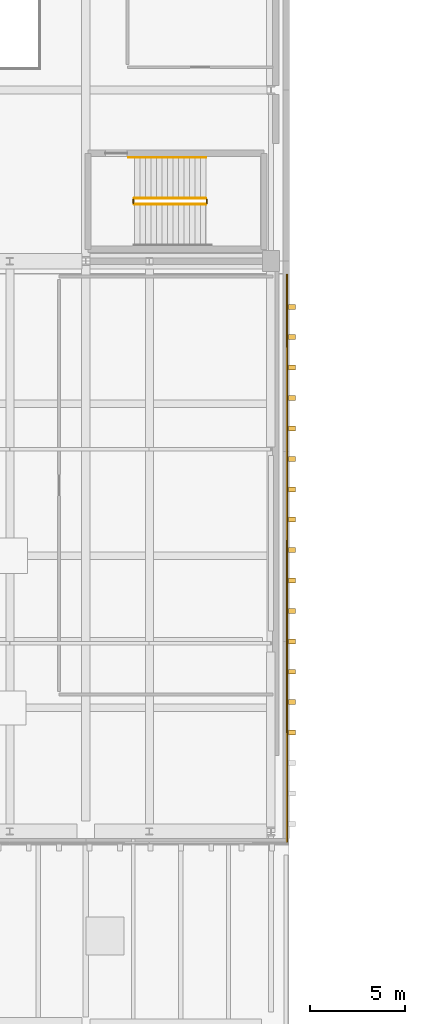
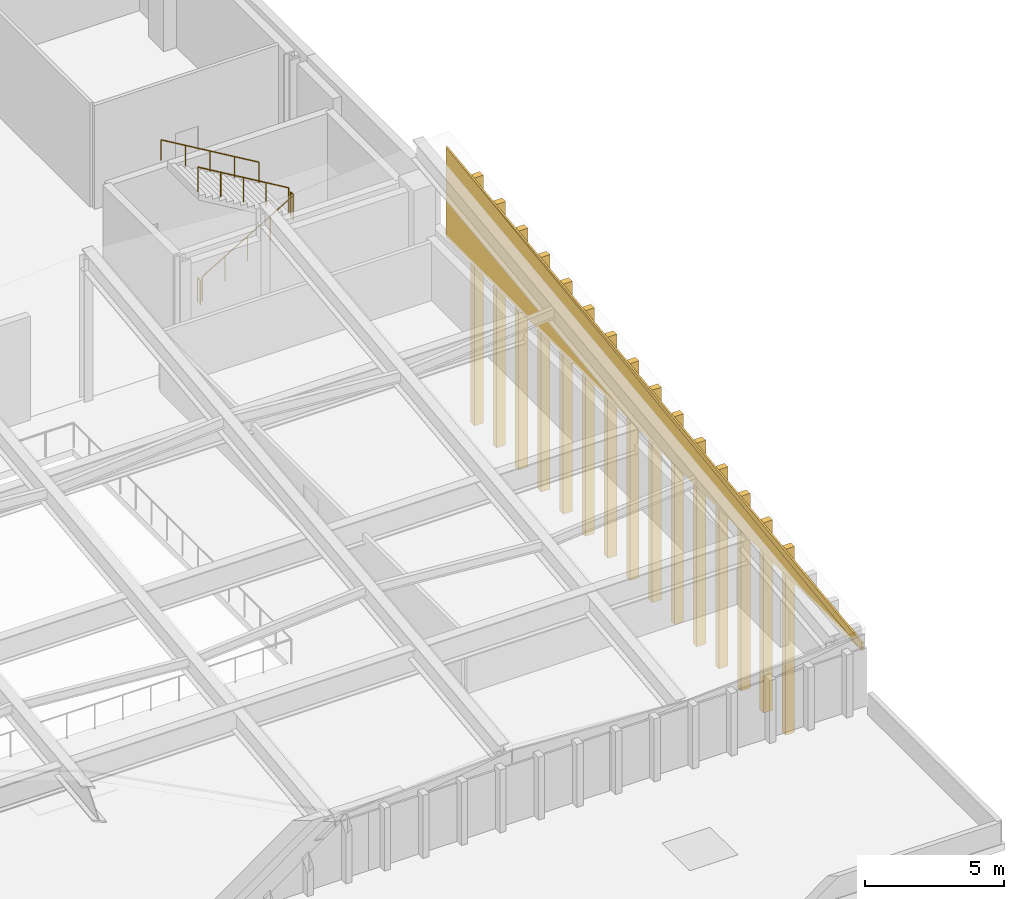
# One storey, part 27 of 30: 17 coverings, 5 railings.
"""IFC4 building model written with IfcOpenShell, lengths in metres."""

from ifc_helpers import new_model, si_unit, direction, frame, origin, origin_2d, place, context, subcontext, project, spatial, polyline, rectangle, circle, outline, extrude, material, layer, layer_set, type_object, element, save


model = new_model("IFC4")

# Units and contexts
model_context = context("Model", 3, precision=1e-05, world=origin(), true_north=direction((0.0, 1.0)))
body_context = subcontext(model_context, "Body", "Model", "MODEL_VIEW")
ifc_project = project(units=[si_unit("LENGTHUNIT", "METRE"), si_unit("AREAUNIT", "SQUARE_METRE"), si_unit("VOLUMEUNIT", "CUBIC_METRE"), si_unit("PLANEANGLEUNIT", "RADIAN"), si_unit("MASSUNIT", "GRAM", prefix="KILO")], contexts=[model_context])

# Site, building, storey
site_placement = place(None, origin())
site = spatial("IfcSite", under=ifc_project, at=site_placement, CompositionType="ELEMENT")
building_placement = place(site_placement, origin())
building = spatial("IfcBuilding", under=site, at=building_placement, Name="Trimount Lyric Opera House", CompositionType="ELEMENT")
storey_placement = place(building_placement, frame((0.0, 0.0, 24.800048828125)))
storey = spatial("IfcBuildingStorey", under=building, at=storey_placement, Name="L05", CompositionType="ELEMENT", Elevation=24.800048828125)

# Coverings
ifc_material_1 = material(Name="Extruded Brushed Aluminium Vertical Shed Rib", Category="aluminium")
ifc_layer_1 = layer(ifc_material_1, 0.260009765625)
ifc_layer_set_1 = layer_set([ifc_layer_1], Name="CLD-RIB1")
covering_type_1 = type_object("IfcCoveringType", Name="CLD-RIB1", PredefinedType="CLADDING", material=ifc_layer_set_1)
covering_1_placement = place(storey_placement, frame((114.85009765625, 59.199951171875, -4.7998046875), z_axis=(0.0, 0.0, 1.0), x_axis=(1.0, 0.0, 0.0)))
element("IfcCovering", 1, at=covering_1_placement, inside=storey, type_object=covering_type_1, Name="Auditorium E vertical cladding rib 064", PredefinedType="CLADDING", context=body_context, shape_type="SweptSolid", body=[
    extrude(rectangle(XDim=0.3798828125, YDim=0.260009765625, at=origin_2d()), origin(), (0.0, 0.0, 1.0), 8.165283203125),
])
covering_2_placement = place(storey_placement, frame((114.85009765625, 60.800048828125, -4.80029296875), z_axis=(0.0, 0.0, 1.0), x_axis=(1.0, 0.0, 0.0)))
element("IfcCovering", 2, at=covering_2_placement, inside=storey, type_object=covering_type_1, Name="Auditorium E vertical cladding rib 065", PredefinedType="CLADDING", context=body_context, shape_type="SweptSolid", body=[
    extrude(rectangle(XDim=0.3798828125, YDim=0.260009765625, at=origin_2d()), origin(), (0.0, 0.0, 1.0), 8.360107421875),
])
covering_3_placement = place(storey_placement, frame((114.85009765625, 62.39990234375, -4.800048828125), z_axis=(0.0, 0.0, 1.0), x_axis=(1.0, 0.0, 0.0)))
element("IfcCovering", 3, at=covering_3_placement, inside=storey, type_object=covering_type_1, Name="Auditorium E vertical cladding rib 066", PredefinedType="CLADDING", context=body_context, shape_type="SweptSolid", body=[
    extrude(rectangle(XDim=0.3798828125, YDim=0.260009765625, at=origin_2d()), origin(), (0.0, 0.0, 1.0), 8.5546875),
])
covering_4_placement = place(storey_placement, frame((114.85009765625, 64.0, -4.800048828125), z_axis=(0.0, 0.0, 1.0), x_axis=(1.0, 0.0, 0.0)))
element("IfcCovering", 4, at=covering_4_placement, inside=storey, type_object=covering_type_1, Name="Auditorium E vertical cladding rib 067", PredefinedType="CLADDING", context=body_context, shape_type="SweptSolid", body=[
    extrude(rectangle(XDim=0.3798828125, YDim=0.260009765625, at=origin_2d()), origin(), (0.0, 0.0, 1.0), 8.74951171875),
])
covering_5_placement = place(storey_placement, frame((114.85009765625, 65.60009765625, -4.7998046875), z_axis=(0.0, 0.0, 1.0), x_axis=(1.0, 0.0, 0.0)))
element("IfcCovering", 5, at=covering_5_placement, inside=storey, type_object=covering_type_1, Name="Auditorium E vertical cladding rib 068", PredefinedType="CLADDING", context=body_context, shape_type="SweptSolid", body=[
    extrude(rectangle(XDim=0.3798828125, YDim=0.260009765625, at=origin_2d()), origin(), (0.0, 0.0, 1.0), 8.944091796875),
])
covering_6_placement = place(storey_placement, frame((114.85009765625, 67.199951171875, -4.800048828125), z_axis=(0.0, 0.0, 1.0), x_axis=(1.0, 0.0, 0.0)))
element("IfcCovering", 6, at=covering_6_placement, inside=storey, type_object=covering_type_1, Name="Auditorium E vertical cladding rib 069", PredefinedType="CLADDING", context=body_context, shape_type="SweptSolid", body=[
    extrude(rectangle(XDim=0.3798828125, YDim=0.260009765625, at=origin_2d()), origin(), (0.0, 0.0, 1.0), 9.138671875),
])
covering_7_placement = place(storey_placement, frame((114.85009765625, 68.800048828125, -4.800048828125), z_axis=(0.0, 0.0, 1.0), x_axis=(1.0, 0.0, 0.0)))
element("IfcCovering", 7, at=covering_7_placement, inside=storey, type_object=covering_type_1, Name="Auditorium E vertical cladding rib 070", PredefinedType="CLADDING", context=body_context, shape_type="SweptSolid", body=[
    extrude(rectangle(XDim=0.3798828125, YDim=0.260009765625, at=origin_2d()), origin(), (0.0, 0.0, 1.0), 9.33349609375),
])
covering_8_placement = place(storey_placement, frame((114.85009765625, 70.39990234375, -4.7998046875), z_axis=(0.0, 0.0, 1.0), x_axis=(1.0, 0.0, 0.0)))
element("IfcCovering", 8, at=covering_8_placement, inside=storey, type_object=covering_type_1, Name="Auditorium E vertical cladding rib 071", PredefinedType="CLADDING", context=body_context, shape_type="SweptSolid", body=[
    extrude(rectangle(XDim=0.3798828125, YDim=0.260009765625, at=origin_2d()), origin(), (0.0, 0.0, 1.0), 9.528076171875),
])
covering_9_placement = place(storey_placement, frame((114.85009765625, 72.0, -4.800048828125), z_axis=(0.0, 0.0, 1.0), x_axis=(1.0, 0.0, 0.0)))
element("IfcCovering", 9, at=covering_9_placement, inside=storey, type_object=covering_type_1, Name="Auditorium E vertical cladding rib 072", PredefinedType="CLADDING", context=body_context, shape_type="SweptSolid", body=[
    extrude(rectangle(XDim=0.3798828125, YDim=0.260009765625, at=origin_2d()), origin(), (0.0, 0.0, 1.0), 9.72265625),
])
covering_10_placement = place(storey_placement, frame((114.85009765625, 73.60009765625, -4.800048828125), z_axis=(0.0, 0.0, 1.0), x_axis=(1.0, 0.0, 0.0)))
element("IfcCovering", 10, at=covering_10_placement, inside=storey, type_object=covering_type_1, Name="Auditorium E vertical cladding rib 073", PredefinedType="CLADDING", context=body_context, shape_type="SweptSolid", body=[
    extrude(rectangle(XDim=0.3798828125, YDim=0.260009765625, at=origin_2d()), origin(), (0.0, 0.0, 1.0), 9.91748046875),
])
covering_11_placement = place(storey_placement, frame((114.85009765625, 75.199951171875, -4.7998046875), z_axis=(0.0, 0.0, 1.0), x_axis=(1.0, 0.0, 0.0)))
element("IfcCovering", 11, at=covering_11_placement, inside=storey, type_object=covering_type_1, Name="Auditorium E vertical cladding rib 074", PredefinedType="CLADDING", context=body_context, shape_type="SweptSolid", body=[
    extrude(rectangle(XDim=0.3798828125, YDim=0.260009765625, at=origin_2d()), origin(), (0.0, 0.0, 1.0), 10.112060546875),
])
covering_12_placement = place(storey_placement, frame((114.85009765625, 76.800048828125, -4.800048828125), z_axis=(0.0, 0.0, 1.0), x_axis=(1.0, 0.0, 0.0)))
element("IfcCovering", 12, at=covering_12_placement, inside=storey, type_object=covering_type_1, Name="Auditorium E vertical cladding rib 075", PredefinedType="CLADDING", context=body_context, shape_type="SweptSolid", body=[
    extrude(rectangle(XDim=0.3798828125, YDim=0.260009765625, at=origin_2d()), origin(), (0.0, 0.0, 1.0), 10.306640625),
])
covering_13_placement = place(storey_placement, frame((114.85009765625, 78.39990234375, -4.800048828125), z_axis=(0.0, 0.0, 1.0), x_axis=(1.0, 0.0, 0.0)))
element("IfcCovering", 13, at=covering_13_placement, inside=storey, type_object=covering_type_1, Name="Auditorium E vertical cladding rib 076", PredefinedType="CLADDING", context=body_context, shape_type="SweptSolid", body=[
    extrude(rectangle(XDim=0.3798828125, YDim=0.260009765625, at=origin_2d()), origin(), (0.0, 0.0, 1.0), 10.50146484375),
])
covering_14_placement = place(storey_placement, frame((114.85009765625, 80.0, -4.7998046875), z_axis=(0.0, 0.0, 1.0), x_axis=(1.0, 0.0, 0.0)))
element("IfcCovering", 14, at=covering_14_placement, inside=storey, type_object=covering_type_1, Name="Auditorium E vertical cladding rib 077", PredefinedType="CLADDING", context=body_context, shape_type="SweptSolid", body=[
    extrude(rectangle(XDim=0.3798828125, YDim=0.260009765625, at=origin_2d()), origin(), (0.0, 0.0, 1.0), 10.696044921875),
])
covering_15_placement = place(storey_placement, frame((114.85009765625, 81.60009765625, -4.800048828125), z_axis=(0.0, 0.0, 1.0), x_axis=(1.0, 0.0, 0.0)))
element("IfcCovering", 15, at=covering_15_placement, inside=storey, type_object=covering_type_1, Name="Auditorium E vertical cladding rib 078", PredefinedType="CLADDING", context=body_context, shape_type="SweptSolid", body=[
    extrude(rectangle(XDim=0.3798828125, YDim=0.260009765625, at=origin_2d()), origin(), (0.0, 0.0, 1.0), 10.890625),
])
ifc_material_2 = material(Name="Anodised Aluminium Acoustic Shed Cladding", Category="aluminium")
ifc_layer_2 = layer(ifc_material_2, 0.074951171875)
ifc_layer_set_2 = layer_set([ifc_layer_2], Name="CLD-SHED1")
covering_type_2 = type_object("IfcCoveringType", Name="CLD-SHED1", PredefinedType="CLADDING", material=ifc_layer_set_2)
covering_16_placement = place(storey_placement, frame((114.6201171875, 53.39990234375, 2.39990234375), z_axis=(1.0, 0.0, 0.0), x_axis=(0.0, 1.0, 0.0)))
element("IfcCovering", 16, at=covering_16_placement, inside=storey, type_object=covering_type_2, Name="Auditorium L05 E raked gable cladding 1", PredefinedType="CLADDING", context=body_context, shape_type="SweptSolid", body=[
    extrude(outline(polyline([(0.0, 0.0), (29.920166015625, 0.0), (29.920166015625, 3.97998046875), (0.0, 0.0)])), origin(), (0.0, 0.0, -1.0), 0.074951171875),
])
covering_17_placement = place(storey_placement, frame((114.6201171875, 53.39990234375, 2.39990234375), z_axis=(1.0, 0.0, 0.0), x_axis=(0.0, 0.991268543395, 0.131858541157)))
element("IfcCovering", 17, at=covering_17_placement, inside=storey, type_object=covering_type_2, Name="Auditorium L05 E raked gable cladding 2", PredefinedType="CLADDING", context=body_context, shape_type="SweptSolid", body=[
    extrude(outline(polyline([(0.0, 0.0), (30.183713802880398, 4.440892098500626e-16), (0.04616336621563058, 0.3470407937568504), (0.0, 0.0)])), origin(), (0.0, 0.0, -1.0), 0.074951171875),
])

# Railings
ifc_material_3 = material(Name="Brushed Stainless Steel 316", Category="steel")
railing_type_1 = type_object("IfcRailingType", Name="RL-GRD110", PredefinedType="GUARDRAIL", material=ifc_material_3)
railing_1_placement = place(storey_placement, frame((106.550048828125, 87.0, 0.17138671875)))
element("IfcRailing", 18, at=railing_1_placement, inside=storey, type_object=railing_type_1, Name="L05 ST-04 stair guard 1", PredefinedType="GUARDRAIL", context=body_context, shape_type="SweptSolid", body=[
    extrude(circle(Radius=0.02392578125, at=origin_2d()), frame((0.0, 0.0, 1.076171875), z_axis=(0.860848830602, 0.0, 0.508860777473), x_axis=(0.0, 1.0, 0.0)), (0.0, 0.0, 1.0), 4.37939453125),
    extrude(circle(Radius=0.02099609375, at=origin_2d()), origin(), (0.0, 0.0, 1.0), 1.052001953125),
    extrude(circle(Radius=0.02099609375, at=origin_2d()), frame((0.9423828125, 0.0, 0.55712890625)), (0.0, 0.0, 1.0), 1.052001953125),
    extrude(circle(Radius=0.02099609375, at=origin_2d()), frame((1.885009765625, 0.0, 1.1142578125)), (0.0, 0.0, 1.0), 1.052001953125),
    extrude(circle(Radius=0.02099609375, at=origin_2d()), frame((2.82763671875, 0.0, 1.67138671875)), (0.0, 0.0, 1.0), 1.052001953125),
    extrude(circle(Radius=0.02099609375, at=origin_2d()), frame((3.77001953125, 0.0, 2.228515625)), (0.0, 0.0, 1.0), 1.052001953125),
])
railing_2_placement = place(storey_placement, frame((110.3701171875, 87.050048828125, 2.39990234375)))
element("IfcRailing", 19, at=railing_2_placement, inside=storey, type_object=railing_type_1, Name="L05 ST-04 stair guard 2", PredefinedType="GUARDRAIL", context=body_context, shape_type="SweptSolid", body=[
    extrude(circle(Radius=0.02392578125, at=origin_2d()), frame((0.0, 0.0, 1.076171875), z_axis=(0.0, 1.0, 0.0), x_axis=(-1.0, 0.0, 0.0)), (0.0, 0.0, 1.0), 0.199951171875),
    extrude(circle(Radius=0.02099609375, at=origin_2d()), origin(), (0.0, 0.0, 1.0), 1.052001953125),
    extrude(circle(Radius=0.02099609375, at=origin_2d()), frame((0.0, 0.199951171875, 0.0)), (0.0, 0.0, 1.0), 1.052001953125),
])
railing_3_placement = place(storey_placement, frame((110.320068359375, 87.300048828125, 2.5712890625)))
element("IfcRailing", 20, at=railing_3_placement, inside=storey, type_object=railing_type_1, Name="L05 ST-04 stair guard 3", PredefinedType="GUARDRAIL", context=body_context, shape_type="SweptSolid", body=[
    extrude(circle(Radius=0.02392578125, at=origin_2d()), frame((0.0, 0.0, 1.076171875), z_axis=(-0.860824410104, 0.0, 0.508902087802), x_axis=(0.0, -1.0, 0.0)), (0.0, 0.0, 1.0), 4.379638671875),
    extrude(circle(Radius=0.02099609375, at=origin_2d()), origin(), (0.0, 0.0, 1.0), 1.052001953125),
    extrude(circle(Radius=0.02099609375, at=origin_2d()), frame((-0.9423828125, 0.0, 0.55712890625)), (0.0, 0.0, 1.0), 1.052001953125),
    extrude(circle(Radius=0.02099609375, at=origin_2d()), frame((-1.885009765625, 0.0, 1.1142578125)), (0.0, 0.0, 1.0), 1.052001953125),
    extrude(circle(Radius=0.02099609375, at=origin_2d()), frame((-2.82763671875, 0.0, 1.671630859375)), (0.0, 0.0, 1.0), 1.052001953125),
    extrude(circle(Radius=0.02099609375, at=origin_2d()), frame((-3.77001953125, 0.0, 2.228759765625)), (0.0, 0.0, 1.0), 1.052001953125),
])
railing_4_placement = place(storey_placement, frame((106.5, 87.050048828125, 0.0)))
element("IfcRailing", 21, at=railing_4_placement, inside=storey, type_object=railing_type_1, Name="L05 ST-04 stair guard 4", PredefinedType="GUARDRAIL", context=body_context, shape_type="SweptSolid", body=[
    extrude(circle(Radius=0.02392578125, at=origin_2d()), frame((0.0, 0.0, 1.076171875), z_axis=(0.0, 1.0, 0.0), x_axis=(-1.0, 0.0, 0.0)), (0.0, 0.0, 1.0), 0.199951171875),
    extrude(circle(Radius=0.02099609375, at=origin_2d()), origin(), (0.0, 0.0, 1.0), 1.052001953125),
    extrude(circle(Radius=0.02099609375, at=origin_2d()), frame((0.0, 0.199951171875, 0.0)), (0.0, 0.0, 1.0), 1.052001953125),
])
ifc_material_4 = material(Name="Brushed Stainless Steel 316", Category="steel")
railing_type_2 = type_object("IfcRailingType", Name="RL-HND092", PredefinedType="HANDRAIL", material=ifc_material_4)
railing_5_placement = place(storey_placement, frame((110.320068359375, 89.449951171875, 2.5712890625)))
element("IfcRailing", 22, at=railing_5_placement, inside=storey, type_object=railing_type_2, Name="L05 ST-04 stair handrail 2", PredefinedType="HANDRAIL", context=body_context, shape_type="SweptSolid", body=[
    extrude(circle(Radius=0.0224609375, at=origin_2d()), frame((0.0, 0.0, 0.8974609375), z_axis=(-0.860536873083, 0.0, 0.509388152654), x_axis=(0.0, -1.0, 0.0)), (0.0, 0.0, 1.0), 4.718017578125),
    extrude(circle(Radius=0.02099609375, at=origin_2d()), origin(), (0.0, 0.0, 1.0), 0.875),
    extrude(circle(Radius=0.02099609375, at=origin_2d()), frame((-1.01513671875, 0.0, 0.600830078125)), (0.0, 0.0, 1.0), 0.875),
    extrude(circle(Radius=0.02099609375, at=origin_2d()), frame((-2.030029296875, 0.0, 1.20166015625)), (0.0, 0.0, 1.0), 0.875),
    extrude(circle(Radius=0.02099609375, at=origin_2d()), frame((-3.044921875, 0.0, 1.802490234375)), (0.0, 0.0, 1.0), 0.875),
    extrude(circle(Radius=0.02099609375, at=origin_2d()), frame((-4.06005859375, 0.0, 2.4033203125)), (0.0, 0.0, 1.0), 0.875),
])

save(model, "model.ifc")
